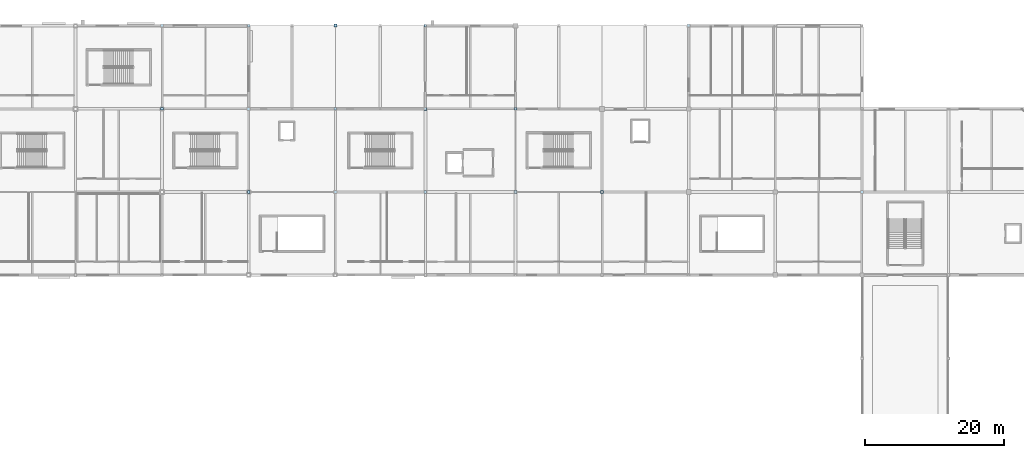
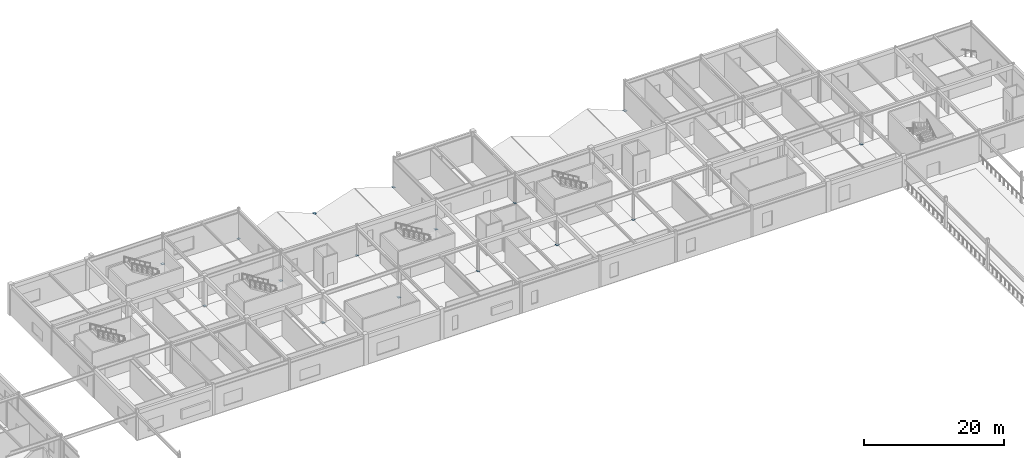
# One storey, part 70 of 105: 16 plates.
"""IFC4 building model written with IfcOpenShell, lengths in metres."""

from ifc_helpers import new_model, si_unit, direction, frame, origin, origin_2d, place, context, subcontext, project, spatial, rectangle, extrude, material, layer, layer_set, type_object, element, save


model = new_model("IFC4")

# Units and contexts
model_context = context("Model", 3, precision=1e-05, world=origin(), true_north=direction((0.0, 1.0)))
body_context = subcontext(model_context, "Body", "Model", "MODEL_VIEW")
ifc_project = project(units=[si_unit("LENGTHUNIT", "METRE"), si_unit("AREAUNIT", "SQUARE_METRE"), si_unit("VOLUMEUNIT", "CUBIC_METRE"), si_unit("PLANEANGLEUNIT", "RADIAN"), si_unit("MASSUNIT", "GRAM", prefix="KILO")], contexts=[model_context])

# Site, building, storey
site_placement = place(None, origin())
site = spatial("IfcSite", under=ifc_project, at=site_placement, CompositionType="ELEMENT")
building_placement = place(site_placement, origin())
building = spatial("IfcBuilding", under=site, at=building_placement, Name="Kazenohara Klinker Stadium", CompositionType="ELEMENT")
storey_placement = place(building_placement, frame((0.0, 0.0, 20.39990234375)))
storey = spatial("IfcBuildingStorey", under=building, at=storey_placement, Name="L04", CompositionType="ELEMENT", Elevation=20.39990234375)

# Plates
ifc_material = material(Name="Steel S355", Category="steel")
ifc_layer_1 = layer(ifc_material, 0.02001953125)
ifc_layer_set_1 = layer_set([ifc_layer_1], Name="Steel S355")
plate_type_1 = type_object("IfcPlateType", Name="PLT-GP01", PredefinedType="USERDEFINED", material=ifc_layer_set_1)
for number, where, z_axis, x_axis, name in (
    (1, (74.0, 156.0, -0.010009765625), (0.0, 0.0, 1.0), (1.0, 0.0, 0.0), "Hollow column end-cap plate GP01 L04 7/P"),
    (2, (86.5, 144.0, -0.010009765625), (0.0, 0.0, 1.0), (1.0, 0.0, 0.0), "Hollow column end-cap plate GP01 L04 8/N"),
    (3, (86.5, 168.0, -0.010009765625), (0.0, 0.0, 1.0), (1.0, 0.0, 0.0), "Hollow column end-cap plate GP01 L04 8/Q"),
):
    element("IfcPlate", number, at=place(storey_placement, frame(where, z_axis=z_axis, x_axis=x_axis)), inside=storey, type_object=plate_type_1, Name=name, ObjectType="GUSSET PLATE", PredefinedType="USERDEFINED", context=body_context, shape_type="SweptSolid", body=[
        extrude(rectangle(XDim=0.389892578125, YDim=0.389892578125, at=origin_2d()), origin(), (0.0, 0.0, 1.0), 0.02001953125),
    ])
plate_1_placement = place(storey_placement, frame((125.0, 144.0, -0.010009765625), z_axis=(0.0, 0.0, 1.0), x_axis=(1.0, 0.0, 0.0)))
element("IfcPlate", 4, at=plate_1_placement, inside=storey, type_object=plate_type_1, Name="Hollow column end-cap plate GP01 L04 11/N", ObjectType="GUSSET PLATE", PredefinedType="USERDEFINED", context=body_context, shape_type="SweptSolid", body=[
    extrude(rectangle(XDim=0.43994140625, YDim=0.43994140625, at=origin_2d()), origin(), (0.0, 0.0, 1.0), 0.02001953125),
])
plate_2_placement = place(storey_placement, frame((125.0, 156.0, -0.010009765625), z_axis=(0.0, 0.0, 1.0), x_axis=(1.0, 0.0, 0.0)))
element("IfcPlate", 5, at=plate_2_placement, inside=storey, type_object=plate_type_1, Name="Hollow column end-cap plate GP01 L04 11/P", ObjectType="GUSSET PLATE", PredefinedType="USERDEFINED", context=body_context, shape_type="SweptSolid", body=[
    extrude(rectangle(XDim=0.389892578125, YDim=0.389892578125, at=origin_2d()), origin(), (0.0, 0.0, 1.0), 0.02001953125),
])
ifc_layer_2 = layer(ifc_material, 0.02197265625)
ifc_layer_set_2 = layer_set([ifc_layer_2], Name="Steel S355")
plate_type_2 = type_object("IfcPlateType", Name="PLT-GP02", PredefinedType="USERDEFINED", material=ifc_layer_set_2)
for number, where, z_axis, x_axis, name in (
    (6, (74.0, 168.0, -0.010986328125), (0.0, 0.0, 1.0), (1.0, 0.0, 0.0), "Hollow column end-cap plate GP02 L04 7/Q"),
    (7, (86.5, 156.0, -0.010986328125), (0.0, 0.0, 1.0), (1.0, 0.0, 0.0), "Hollow column end-cap plate GP02 L04 8/P"),
):
    element("IfcPlate", number, at=place(storey_placement, frame(where, z_axis=z_axis, x_axis=x_axis)), inside=storey, type_object=plate_type_2, Name=name, ObjectType="GUSSET PLATE", PredefinedType="USERDEFINED", context=body_context, shape_type="SweptSolid", body=[
        extrude(rectangle(XDim=0.43994140625, YDim=0.43994140625, at=origin_2d()), origin(), (0.0, 0.0, 1.0), 0.02197265625),
    ])
plate_3_placement = place(storey_placement, frame((112.0, 144.0, -0.010986328125), z_axis=(0.0, 0.0, 1.0), x_axis=(1.0, 0.0, 0.0)))
element("IfcPlate", 8, at=plate_3_placement, inside=storey, type_object=plate_type_2, Name="Hollow column end-cap plate GP02 L04 10/N", ObjectType="GUSSET PLATE", PredefinedType="USERDEFINED", context=body_context, shape_type="SweptSolid", body=[
    extrude(rectangle(XDim=0.389892578125, YDim=0.389892578125, at=origin_2d()), origin(), (0.0, 0.0, 1.0), 0.02197265625),
])
plate_4_placement = place(storey_placement, frame((112.0, 156.0, -0.010986328125), z_axis=(0.0, 0.0, 1.0), x_axis=(1.0, 0.0, 0.0)))
element("IfcPlate", 9, at=plate_4_placement, inside=storey, type_object=plate_type_2, Name="Hollow column end-cap plate GP02 L04 10/P", ObjectType="GUSSET PLATE", PredefinedType="USERDEFINED", context=body_context, shape_type="SweptSolid", body=[
    extrude(rectangle(XDim=0.43994140625, YDim=0.43994140625, at=origin_2d()), origin(), (0.0, 0.0, 1.0), 0.02197265625),
])
plate_5_placement = place(storey_placement, frame((112.0, 168.0, -0.010986328125), z_axis=(0.0, 0.0, 1.0), x_axis=(1.0, 0.0, 0.0)))
element("IfcPlate", 10, at=plate_5_placement, inside=storey, type_object=plate_type_2, Name="Hollow column end-cap plate GP02 L04 10/Q", ObjectType="GUSSET PLATE", PredefinedType="USERDEFINED", context=body_context, shape_type="SweptSolid", body=[
    extrude(rectangle(XDim=0.389892578125, YDim=0.389892578125, at=origin_2d()), origin(), (0.0, 0.0, 1.0), 0.02197265625),
])
ifc_layer_3 = layer(ifc_material, 0.02392578125)
ifc_layer_set_3 = layer_set([ifc_layer_3], Name="Steel S355")
plate_type_3 = type_object("IfcPlateType", Name="PLT-GP03", PredefinedType="USERDEFINED", material=ifc_layer_set_3)
plate_6_placement = place(storey_placement, frame((99.0, 156.0, -0.011962890625), z_axis=(0.0, 0.0, 1.0), x_axis=(1.0, 0.0, 0.0)))
element("IfcPlate", 11, at=plate_6_placement, inside=storey, type_object=plate_type_3, Name="Hollow column end-cap plate GP03 L04 9/P", ObjectType="GUSSET PLATE", PredefinedType="USERDEFINED", context=body_context, shape_type="SweptSolid", body=[
    extrude(rectangle(XDim=0.389892578125, YDim=0.389892578125, at=origin_2d()), origin(), (0.0, 0.0, 1.0), 0.02392578125),
])
for number, where, z_axis, x_axis, name in (
    (12, (99.0, 168.0, -0.011962890625), (0.0, 0.0, 1.0), (1.0, 0.0, 0.0), "Hollow column end-cap plate GP03 L04 9/Q"),
    (13, (175.0, 144.0, -0.011962890625), (0.0, 0.0, 1.0), (1.0, 0.0, 0.0), "Hollow column end-cap plate GP03 L04 15/N"),
):
    element("IfcPlate", number, at=place(storey_placement, frame(where, z_axis=z_axis, x_axis=x_axis)), inside=storey, type_object=plate_type_3, Name=name, ObjectType="GUSSET PLATE", PredefinedType="USERDEFINED", context=body_context, shape_type="SweptSolid", body=[
        extrude(rectangle(XDim=0.43994140625, YDim=0.43994140625, at=origin_2d()), origin(), (0.0, 0.0, 1.0), 0.02392578125),
    ])
ifc_layer_4 = layer(ifc_material, 0.02490234375)
ifc_layer_set_4 = layer_set([ifc_layer_4], Name="Steel S355")
plate_type_4 = type_object("IfcPlateType", Name="PLT-GP04", PredefinedType="USERDEFINED", material=ifc_layer_set_4)
plate_7_placement = place(storey_placement, frame((99.0, 144.0, -0.012451171875), z_axis=(0.0, 0.0, 1.0), x_axis=(1.0, 0.0, 0.0)))
element("IfcPlate", 14, at=plate_7_placement, inside=storey, type_object=plate_type_4, Name="Hollow column end-cap plate GP04 L04 9/N", ObjectType="GUSSET PLATE", PredefinedType="USERDEFINED", context=body_context, shape_type="SweptSolid", body=[
    extrude(rectangle(XDim=0.43994140625, YDim=0.43994140625, at=origin_2d()), origin(), (0.0, 0.0, 1.0), 0.02490234375),
])
plate_8_placement = place(storey_placement, frame((137.5, 144.0, -0.012451171875), z_axis=(0.0, 0.0, 1.0), x_axis=(1.0, 0.0, 0.0)))
element("IfcPlate", 15, at=plate_8_placement, inside=storey, type_object=plate_type_4, Name="Hollow column end-cap plate GP04 L04 12/N", ObjectType="GUSSET PLATE", PredefinedType="USERDEFINED", context=body_context, shape_type="SweptSolid", body=[
    extrude(rectangle(XDim=0.389892578125, YDim=0.389892578125, at=origin_2d()), origin(), (0.0, 0.0, 1.0), 0.02490234375),
])
plate_9_placement = place(storey_placement, frame((150.0, 168.0, -0.012451171875), z_axis=(0.0, 0.0, 1.0), x_axis=(1.0, 0.0, 0.0)))
element("IfcPlate", 16, at=plate_9_placement, inside=storey, type_object=plate_type_4, Name="Hollow column end-cap plate GP04 L04 13/Q", ObjectType="GUSSET PLATE", PredefinedType="USERDEFINED", context=body_context, shape_type="SweptSolid", body=[
    extrude(rectangle(XDim=0.43994140625, YDim=0.43994140625, at=origin_2d()), origin(), (0.0, 0.0, 1.0), 0.02490234375),
])

save(model, "model.ifc")
